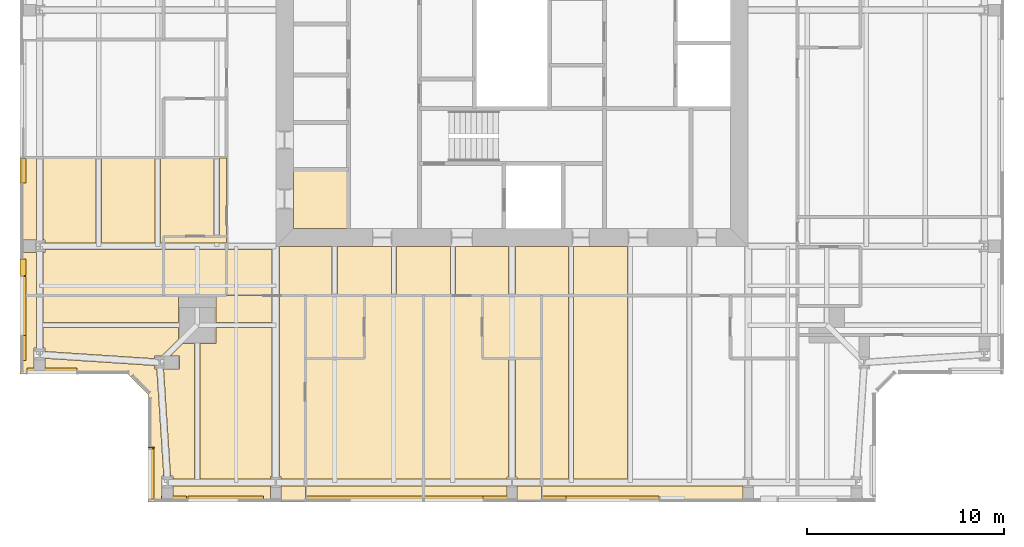
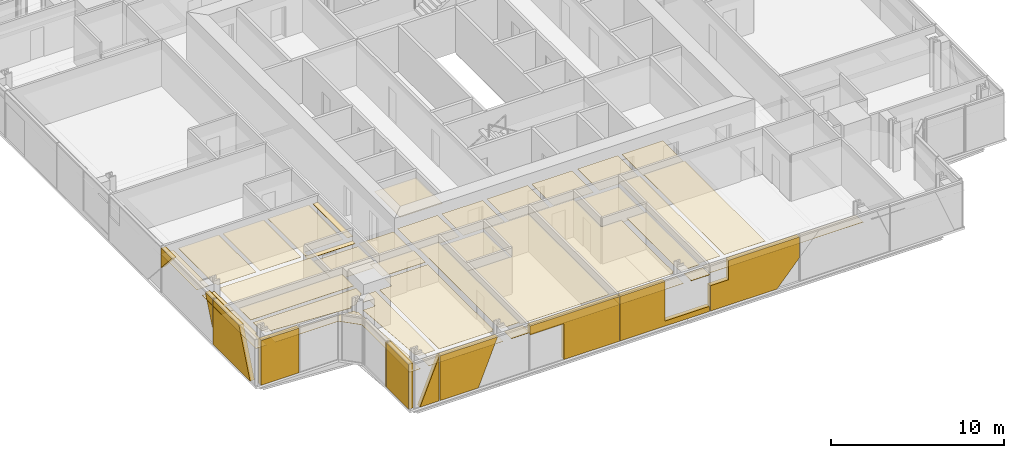
# One storey, part 16 of 20: 49 coverings.
"""IFC4 building model written with IfcOpenShell, lengths in metres."""

from ifc_helpers import new_model, si_unit, direction, frame, origin, place, context, subcontext, project, spatial, polyline, outline, extrude, material, layer, layer_set, type_object, element, save


model = new_model("IFC4")

# Units and contexts
model_context = context("Model", 3, precision=1e-05, world=origin(), true_north=direction((0.0, 1.0)))
body_context = subcontext(model_context, "Body", "Model", "MODEL_VIEW")
ifc_project = project(units=[si_unit("LENGTHUNIT", "METRE"), si_unit("AREAUNIT", "SQUARE_METRE"), si_unit("VOLUMEUNIT", "CUBIC_METRE"), si_unit("PLANEANGLEUNIT", "RADIAN"), si_unit("MASSUNIT", "GRAM", prefix="KILO")], contexts=[model_context])

# Site, building, storey
site_placement = place(None, origin())
site = spatial("IfcSite", under=ifc_project, at=site_placement, CompositionType="ELEMENT")
building_placement = place(site_placement, origin())
building = spatial("IfcBuilding", under=site, at=building_placement, Name="Fenwick Lantern Interchange", CompositionType="ELEMENT")
storey_placement = place(building_placement, frame((0.0, 0.0, 286.60009765625)))
storey = spatial("IfcBuildingStorey", under=building, at=storey_placement, Name="L69", CompositionType="ELEMENT", Elevation=286.60009765625)

# Coverings
ifc_material_1 = material(Name="Granite cladding, warm grey flamed finish, on aluminium carrier frame", Category="masonry")
ifc_layer_1 = layer(ifc_material_1, 0.300048828125)
ifc_layer_set_1 = layer_set([ifc_layer_1], Name="BRACE CASING PANEL 300")
covering_type_1 = type_object("IfcCoveringType", Name="BRACE CASING PANEL 300", PredefinedType="CLADDING", material=ifc_layer_set_1)
covering_1_placement = place(storey_placement, frame((6.60009765625, 0.10009765625, 0.0), z_axis=(0.0, 0.0, 1.0), x_axis=(1.0, 0.0, 0.0)))
element("IfcCovering", 1, at=covering_1_placement, inside=storey, type_object=covering_type_1, Name="Brace casing 01 bay 00a", PredefinedType="CLADDING", context=body_context, shape_type="SweptSolid", body=[
    extrude(outline(polyline([(0.58984375, 0.0), (1.8701171875, 0.0), (1.8701171875, 3.138427734375), (0.58984375, 0.0)])), frame((0.0, 0.2099609375, 0.0), z_axis=(0.0, -1.0, 0.0), x_axis=(1.0, 0.0, 0.0)), (0.0, 0.0, 1.0), 0.300048828125),
])
covering_2_placement = place(storey_placement, frame((6.60009765625, 0.10009765625, 0.0), z_axis=(0.0, 0.0, 1.0), x_axis=(1.0, 0.0, 0.0)))
element("IfcCovering", 2, at=covering_2_placement, inside=storey, type_object=covering_type_1, Name="Brace casing 01 bay 01a", PredefinedType="CLADDING", context=body_context, shape_type="SweptSolid", body=[
    extrude(outline(polyline([(1.929931640625, 0.0), (4.477783203125, 0.0), (5.7626953125, 3.14990234375), (1.929931640625, 3.14990234375), (1.929931640625, 0.0)])), frame((0.0, 0.2099609375, 0.0), z_axis=(0.0, -1.0, 0.0), x_axis=(1.0, 0.0, 0.0)), (0.0, 0.0, 1.0), 0.300048828125),
])
covering_3_placement = place(storey_placement, frame((6.60009765625, 0.10009765625, 0.0), z_axis=(0.0, 0.0, 1.0), x_axis=(1.0, 0.0, 0.0)))
element("IfcCovering", 3, at=covering_3_placement, inside=storey, type_object=covering_type_1, Name="Brace casing 01 bay 02a", PredefinedType="CLADDING", context=body_context, shape_type="SweptSolid", body=[
    extrude(outline(polyline([(10.179931640625, 0.0), (13.8701171875, 0.0), (13.8701171875, 3.14990234375), (7.929931640625, 3.14990234375), (7.929931640625, 2.5234375), (10.179931640625, 2.5234375), (10.179931640625, 0.0)])), frame((0.0, 0.2099609375, 0.0), z_axis=(0.0, -1.0, 0.0), x_axis=(1.0, 0.0, 0.0)), (0.0, 0.0, 1.0), 0.300048828125),
])
covering_4_placement = place(storey_placement, frame((6.60009765625, 0.10009765625, 0.0), z_axis=(0.0, 0.0, 1.0), x_axis=(1.0, 0.0, 0.0)))
element("IfcCovering", 4, at=covering_4_placement, inside=storey, type_object=covering_type_1, Name="Brace casing 01 bay 03a", PredefinedType="CLADDING", context=body_context, shape_type="SweptSolid", body=[
    extrude(outline(polyline([(13.929931640625, 0.0), (19.8701171875, 0.0), (19.8701171875, 0.357421875), (16.926513671875, 0.357421875), (16.926513671875, 3.14990234375), (13.929931640625, 3.14990234375), (13.929931640625, 0.0)])), frame((0.0, 0.2099609375, 0.0), z_axis=(0.0, -1.0, 0.0), x_axis=(1.0, 0.0, 0.0)), (0.0, 0.0, 1.0), 0.300048828125),
])
covering_5_placement = place(storey_placement, frame((6.60009765625, 0.10009765625, 0.0), z_axis=(0.0, 0.0, 1.0), x_axis=(1.0, 0.0, 0.0)))
element("IfcCovering", 5, at=covering_5_placement, inside=storey, type_object=covering_type_1, Name="Brace casing 01 bay 04a", PredefinedType="CLADDING", context=body_context, shape_type="SweptSolid", body=[
    extrude(outline(polyline([(19.929931640625, 0.0), (24.374267578125, 0.0), (25.8701171875, 1.6806640625), (25.8701171875, 3.14990234375), (21.14501953125, 3.14990234375), (21.14501953125, 1.786376953125), (19.929931640625, 1.786376953125), (19.929931640625, 0.0)])), frame((0.0, 0.2099609375, 0.0), z_axis=(0.0, -1.0, 0.0), x_axis=(1.0, 0.0, 0.0)), (0.0, 0.0, 1.0), 0.300048828125),
])
covering_6_placement = place(storey_placement, frame((0.10009765625, 43.39990234375, 1.748046875), z_axis=(0.0, 0.0, 1.0), x_axis=(0.0, -1.0, 0.0)))
element("IfcCovering", 6, at=covering_6_placement, inside=storey, type_object=covering_type_1, Name="Brace casing 13 bay 05a", PredefinedType="CLADDING", context=body_context, shape_type="SweptSolid", body=[
    extrude(outline(polyline([(25.929931640625, 0.0), (27.177490234375, 1.40185546875), (25.929931640625, 1.40185546875), (25.929931640625, 0.0)])), frame((0.0, 0.2099609375, 0.0), z_axis=(0.0, -1.0, 0.0), x_axis=(1.0, 0.0, 0.0)), (0.0, 0.0, 1.0), 0.300048828125),
])
covering_7_placement = place(storey_placement, frame((0.10009765625, 43.39990234375, 1.108642578125), z_axis=(0.0, 0.0, 1.0), x_axis=(0.0, -1.0, 0.0)))
element("IfcCovering", 7, at=covering_7_placement, inside=storey, type_object=covering_type_1, Name="Brace casing 13 bay 05b", PredefinedType="CLADDING", context=body_context, shape_type="SweptSolid", body=[
    extrude(outline(polyline([(31.8701171875, 0.0), (31.8701171875, 2.041259765625), (31.037353515625, 2.041259765625), (31.8701171875, 0.0)])), frame((0.0, 0.2099609375, 0.0), z_axis=(0.0, -1.0, 0.0), x_axis=(1.0, 0.0, 0.0)), (0.0, 0.0, 1.0), 0.300048828125),
])
covering_8_placement = place(storey_placement, frame((0.10009765625, 43.39990234375, 0.0), z_axis=(0.0, 0.0, 1.0), x_axis=(0.0, -1.0, 0.0)))
element("IfcCovering", 8, at=covering_8_placement, inside=storey, type_object=covering_type_1, Name="Brace casing 13 bay 06a", PredefinedType="CLADDING", context=body_context, shape_type="SweptSolid", body=[
    extrude(outline(polyline([(31.929931640625, 0.0), (36.2099609375, 0.0), (34.92529296875, 3.14990234375), (31.929931640625, 3.14990234375), (31.929931640625, 0.0)])), frame((0.0, 0.2099609375, 0.0), z_axis=(0.0, -1.0, 0.0), x_axis=(1.0, 0.0, 0.0)), (0.0, 0.0, 1.0), 0.300048828125),
])
covering_9_placement = place(storey_placement, frame((0.10009765625, 6.60009765625, 0.0), z_axis=(0.0, 0.0, 1.0), x_axis=(1.0, 0.0, 0.0)))
element("IfcCovering", 9, at=covering_9_placement, inside=storey, type_object=covering_type_1, Name="Brace casing 14 bay 00a", PredefinedType="CLADDING", context=body_context, shape_type="SweptSolid", body=[
    extrude(outline(polyline([(0.260009765625, 0.0), (2.790771484375, 0.0), (2.790771484375, 3.14990234375), (0.260009765625, 3.14990234375), (0.260009765625, 0.0)])), frame((0.0, 0.2099609375, 0.0), z_axis=(0.0, -1.0, 0.0), x_axis=(1.0, 0.0, 0.0)), (0.0, 0.0, 1.0), 0.300048828125),
])
covering_10_placement = place(storey_placement, frame((6.60009765625, 5.54150390625, 0.0), z_axis=(0.0, 0.0, 1.0), x_axis=(0.0, -1.0, 0.0)))
element("IfcCovering", 10, at=covering_10_placement, inside=storey, type_object=covering_type_1, Name="Brace casing 16 bay 00a", PredefinedType="CLADDING", context=body_context, shape_type="SweptSolid", body=[
    extrude(outline(polyline([(2.741455078125, 0.0), (2.790771484375, 0.0), (2.790771484375, 3.14990234375), (2.741455078125, 3.14990234375), (2.741455078125, 0.0)])), frame((0.0, 0.2099609375, 0.0), z_axis=(0.0, -1.0, 0.0), x_axis=(1.0, 0.0, 0.0)), (0.0, 0.0, 1.0), 0.300048828125),
])
covering_11_placement = place(storey_placement, frame((6.60009765625, 5.54150390625, 0.0), z_axis=(0.0, 0.0, 1.0), x_axis=(0.0, -1.0, 0.0)))
element("IfcCovering", 11, at=covering_11_placement, inside=storey, type_object=covering_type_1, Name="Brace casing 16 bay 01a", PredefinedType="CLADDING", context=body_context, shape_type="SweptSolid", body=[
    extrude(outline(polyline([(2.850830078125, 0.0), (5.38134765625, 0.0), (5.38134765625, 3.14990234375), (2.850830078125, 3.14990234375), (2.850830078125, 0.0)])), frame((0.0, 0.2099609375, 0.0), z_axis=(0.0, -1.0, 0.0), x_axis=(1.0, 0.0, 0.0)), (0.0, 0.0, 1.0), 0.300048828125),
])
ifc_material_2 = material(Name="Moisture resistant gypsum board on suspended frame, painted")
ifc_layer_2 = layer(ifc_material_2, 0.014892578125)
ifc_layer_set_2 = layer_set([ifc_layer_2], Name="MOISTURE RESISTANT CEILING 15")
covering_type_2 = type_object("IfcCoveringType", Name="MOISTURE RESISTANT CEILING 15", PredefinedType="CEILING", material=ifc_layer_set_2)
covering_12_placement = place(storey_placement, frame((0.0, 0.0, 2.599853515625)))
element("IfcCovering", 12, at=covering_12_placement, inside=storey, type_object=covering_type_2, Name="Accessible WC ceiling", PredefinedType="CEILING", context=body_context, shape_type="SweptSolid", body=[
    extrude(outline(polyline([(13.89990234375, 13.89990234375), (16.699951171875, 13.89990234375), (16.699951171875, 16.89990234375), (13.89990234375, 16.89990234375), (13.89990234375, 13.89990234375)])), origin(), (0.0, 0.0, 1.0), 0.01513671875),
])
covering_13_placement = place(storey_placement, frame((0.0, 0.0, 2.39990234375)))
element("IfcCovering", 13, at=covering_13_placement, inside=storey, type_object=covering_type_2, Name="En-suite 6901 ceiling", PredefinedType="CEILING", context=body_context, shape_type="SweptSolid", body=[
    extrude(outline(polyline([(14.5, 7.300048828125), (17.5, 7.300048828125), (17.5, 10.5), (14.5, 10.5), (14.5, 7.300048828125)])), origin(), (0.0, 0.0, 1.0), 0.014892578125),
])
covering_14_placement = place(storey_placement, frame((0.0, 0.0, 2.39990234375)))
element("IfcCovering", 14, at=covering_14_placement, inside=storey, type_object=covering_type_2, Name="En-suite 6902 ceiling", PredefinedType="CEILING", context=body_context, shape_type="SweptSolid", body=[
    extrude(outline(polyline([(23.5, 7.300048828125), (26.5, 7.300048828125), (26.5, 10.5), (23.5, 10.5), (23.5, 7.300048828125)])), origin(), (0.0, 0.0, 1.0), 0.014892578125),
])
covering_15_placement = place(storey_placement, frame((0.0, 0.0, 2.39990234375)))
element("IfcCovering", 15, at=covering_15_placement, inside=storey, type_object=covering_type_2, Name="En-suite 6914 ceiling", PredefinedType="CEILING", context=body_context, shape_type="SweptSolid", body=[
    extrude(outline(polyline([(10.5, 10.5), (10.5, 12.833984375), (7.300048828125, 12.833984375), (7.300048828125, 10.5), (10.5, 10.5)])), origin(), (0.0, 0.0, 1.0), 0.014892578125),
])
covering_16_placement = place(storey_placement, frame((0.0, 0.0, 2.39990234375)))
element("IfcCovering", 16, at=covering_16_placement, inside=storey, type_object=covering_type_2, Name="En-suite 6914 ceiling", PredefinedType="CEILING", context=body_context, shape_type="SweptSolid", body=[
    extrude(outline(polyline([(7.300048828125, 13.5), (7.300048828125, 13.166015625), (10.5, 13.166015625), (10.5, 13.5), (7.300048828125, 13.5)])), origin(), (0.0, 0.0, 1.0), 0.014892578125),
])
ifc_material_3 = material(Name="Gypsum plasterboard on suspended frame, painted")
ifc_layer_3 = layer(ifc_material_3, 0.014892578125)
ifc_layer_set_3 = layer_set([ifc_layer_3], Name="PLASTERBOARD CEILING 15")
covering_type_3 = type_object("IfcCoveringType", Name="PLASTERBOARD CEILING 15", PredefinedType="CEILING", material=ifc_layer_set_3)
covering_17_placement = place(storey_placement, frame((0.0, 0.0, 2.599853515625)))
element("IfcCovering", 17, at=covering_17_placement, inside=storey, type_object=covering_type_3, Name="Corridor ceiling", PredefinedType="CEILING", context=body_context, shape_type="SweptSolid", body=[
    extrude(outline(polyline([(16.134521484375, 10.5), (18.865478515625, 10.5), (18.865478515625, 13.0), (16.134521484375, 13.0), (16.134521484375, 10.5)])), origin(), (0.0, 0.0, 1.0), 0.01513671875),
])
covering_18_placement = place(storey_placement, frame((0.0, 0.0, 2.599853515625)))
element("IfcCovering", 18, at=covering_18_placement, inside=storey, type_object=covering_type_3, Name="Corridor ceiling", PredefinedType="CEILING", context=body_context, shape_type="SweptSolid", body=[
    extrude(outline(polyline([(19.134521484375, 10.5), (21.865478515625, 10.5), (21.865478515625, 13.0), (19.134521484375, 13.0), (19.134521484375, 10.5)])), origin(), (0.0, 0.0, 1.0), 0.01513671875),
])
covering_19_placement = place(storey_placement, frame((0.0, 0.0, 2.599853515625)))
element("IfcCovering", 19, at=covering_19_placement, inside=storey, type_object=covering_type_3, Name="Corridor ceiling", PredefinedType="CEILING", context=body_context, shape_type="SweptSolid", body=[
    extrude(outline(polyline([(28.134521484375, 10.5), (30.865478515625, 10.5), (30.865478515625, 13.0), (28.134521484375, 13.0), (28.134521484375, 10.5)])), origin(), (0.0, 0.0, 1.0), 0.01513671875),
])
covering_20_placement = place(storey_placement, frame((0.0, 0.0, 2.599853515625)))
element("IfcCovering", 20, at=covering_20_placement, inside=storey, type_object=covering_type_3, Name="Corridor ceiling", PredefinedType="CEILING", context=body_context, shape_type="SweptSolid", body=[
    extrude(outline(polyline([(13.183837890625, 10.5), (15.865478515625, 10.5), (15.865478515625, 13.0), (13.183837890625, 13.0), (13.183837890625, 10.5)])), origin(), (0.0, 0.0, 1.0), 0.01513671875),
])
covering_21_placement = place(storey_placement, frame((0.0, 0.0, 2.599853515625)))
element("IfcCovering", 21, at=covering_21_placement, inside=storey, type_object=covering_type_3, Name="Corridor ceiling", PredefinedType="CEILING", context=body_context, shape_type="SweptSolid", body=[
    extrude(outline(polyline([(22.134521484375, 10.5), (24.816162109375, 10.5), (24.816162109375, 13.0), (22.134521484375, 13.0), (22.134521484375, 10.5)])), origin(), (0.0, 0.0, 1.0), 0.01513671875),
])
covering_22_placement = place(storey_placement, frame((0.0, 0.0, 2.599853515625)))
element("IfcCovering", 22, at=covering_22_placement, inside=storey, type_object=covering_type_3, Name="Corridor ceiling", PredefinedType="CEILING", context=body_context, shape_type="SweptSolid", body=[
    extrude(outline(polyline([(25.183837890625, 10.5), (27.865478515625, 10.5), (27.865478515625, 13.0), (25.183837890625, 13.0), (25.183837890625, 10.5)])), origin(), (0.0, 0.0, 1.0), 0.01513671875),
])
covering_23_placement = place(storey_placement, frame((0.0, 0.0, 2.599853515625)))
element("IfcCovering", 23, at=covering_23_placement, inside=storey, type_object=covering_type_3, Name="Corridor ceiling", PredefinedType="CEILING", context=body_context, shape_type="SweptSolid", body=[
    extrude(outline(polyline([(10.5, 10.5), (12.816162109375, 10.5), (12.816162109375, 12.833984375), (10.5, 12.833984375), (10.5, 10.5)])), origin(), (0.0, 0.0, 1.0), 0.01513671875),
])
covering_24_placement = place(storey_placement, frame((0.0, 0.0, 2.699951171875)))
element("IfcCovering", 24, at=covering_24_placement, inside=storey, type_object=covering_type_3, Name="Guest suite 6901 sitting room ceiling", PredefinedType="CEILING", context=body_context, shape_type="SweptSolid", body=[
    extrude(outline(polyline([(9.949951171875, 8.050048828125), (9.134521484375, 8.050048828125), (9.134521484375, 1.17236328125), (12.72900390625, 1.17236328125), (12.72900390625, 1.3154296875), (12.816162109375, 1.3154296875), (12.816162109375, 8.865478515625), (9.949951171875, 8.865478515625), (9.949951171875, 8.050048828125)])), origin(), (0.0, 0.0, 1.0), 0.014892578125),
])
covering_25_placement = place(storey_placement, frame((0.0, 0.0, 2.699951171875)))
element("IfcCovering", 25, at=covering_25_placement, inside=storey, type_object=covering_type_3, Name="Guest suite 6901 sitting room ceiling", PredefinedType="CEILING", context=body_context, shape_type="SweptSolid", body=[
    extrude(outline(polyline([(14.5, 10.5), (13.183837890625, 10.5), (13.183837890625, 1.3154296875), (13.27099609375, 1.3154296875), (13.27099609375, 1.17236328125), (14.5, 1.17236328125), (14.5, 10.5)])), origin(), (0.0, 0.0, 1.0), 0.014892578125),
])
covering_26_placement = place(storey_placement, frame((0.0, 0.0, 2.699951171875)))
element("IfcCovering", 26, at=covering_26_placement, inside=storey, type_object=covering_type_3, Name="Guest suite 6901 sitting room ceiling", PredefinedType="CEILING", context=body_context, shape_type="SweptSolid", body=[
    extrude(outline(polyline([(8.050048828125, 9.134521484375), (8.050048828125, 10.5), (1.17236328125, 10.5), (1.17236328125, 9.134521484375), (8.050048828125, 9.134521484375)])), origin(), (0.0, 0.0, 1.0), 0.014892578125),
])
covering_27_placement = place(storey_placement, frame((0.0, 0.0, 2.699951171875)))
element("IfcCovering", 27, at=covering_27_placement, inside=storey, type_object=covering_type_3, Name="Guest suite 6901 sitting room ceiling", PredefinedType="CEILING", context=body_context, shape_type="SweptSolid", body=[
    extrude(outline(polyline([(8.050048828125, 8.266845703125), (8.050048828125, 8.865478515625), (1.17236328125, 8.865478515625), (1.17236328125, 7.83447265625), (1.27734375, 7.83447265625), (1.27734375, 7.654541015625), (6.82275390625, 7.291015625), (6.82275390625, 7.4345703125), (7.217529296875, 7.4345703125), (8.050048828125, 8.266845703125)])), origin(), (0.0, 0.0, 1.0), 0.014892578125),
])
covering_28_placement = place(storey_placement, frame((0.0, 0.0, 2.699951171875)))
element("IfcCovering", 28, at=covering_28_placement, inside=storey, type_object=covering_type_3, Name="Guest suite 6901 sitting room ceiling", PredefinedType="CEILING", context=body_context, shape_type="SweptSolid", body=[
    extrude(outline(polyline([(8.865478515625, 8.050048828125), (8.266845703125, 8.050048828125), (7.6513671875, 7.4345703125), (8.10009765625, 7.4345703125), (8.10009765625, 6.765625), (7.294677734375, 6.765625), (7.65087890625, 1.33447265625), (7.77734375, 1.33447265625), (7.77734375, 1.17236328125), (8.865478515625, 1.17236328125), (8.865478515625, 8.050048828125)])), origin(), (0.0, 0.0, 1.0), 0.014892578125),
])
covering_29_placement = place(storey_placement, frame((0.0, 0.0, 2.699951171875)))
element("IfcCovering", 29, at=covering_29_placement, inside=storey, type_object=covering_type_3, Name="Guest suite 6901 sitting room ceiling", PredefinedType="CEILING", context=body_context, shape_type="SweptSolid", body=[
    extrude(outline(polyline([(7.22265625, 1.33447265625), (7.30517578125, 1.33447265625), (6.94921875, 6.765625), (6.82275390625, 6.765625), (6.82275390625, 6.9453125), (1.27734375, 7.30908203125), (1.27734375, 6.5), (5.5, 6.5), (6.5, 5.5), (6.5, 0.0), (7.22265625, 0.0), (7.22265625, 1.33447265625)])), origin(), (0.0, 0.0, 1.0), 0.014892578125),
])
covering_30_placement = place(storey_placement, frame((0.0, 0.0, 2.699951171875)))
element("IfcCovering", 30, at=covering_30_placement, inside=storey, type_object=covering_type_3, Name="Guest suite 6901 sitting room ceiling", PredefinedType="CEILING", context=body_context, shape_type="SweptSolid", body=[
    extrude(outline(polyline([(12.72900390625, 0.0), (12.72900390625, 0.82763671875), (7.77734375, 0.82763671875), (7.77734375, 0.0), (12.72900390625, 0.0)])), origin(), (0.0, 0.0, 1.0), 0.014892578125),
])
covering_31_placement = place(storey_placement, frame((0.0, 0.0, 2.699951171875)))
element("IfcCovering", 31, at=covering_31_placement, inside=storey, type_object=covering_type_3, Name="Guest suite 6901 sitting room ceiling", PredefinedType="CEILING", context=body_context, shape_type="SweptSolid", body=[
    extrude(outline(polyline([(9.949951171875, 10.5), (9.949951171875, 9.134521484375), (12.816162109375, 9.134521484375), (12.816162109375, 10.5), (9.949951171875, 10.5)])), origin(), (0.0, 0.0, 1.0), 0.014892578125),
])
covering_32_placement = place(storey_placement, frame((0.0, 0.0, 2.699951171875)))
element("IfcCovering", 32, at=covering_32_placement, inside=storey, type_object=covering_type_3, Name="Guest suite 6901 sitting room ceiling", PredefinedType="CEILING", context=body_context, shape_type="SweptSolid", body=[
    extrude(outline(polyline([(0.72265625, 7.83447265625), (0.82763671875, 7.83447265625), (0.82763671875, 10.5), (0.0, 10.5), (0.0, 6.5), (0.72265625, 6.5), (0.72265625, 7.83447265625)])), origin(), (0.0, 0.0, 1.0), 0.014892578125),
])
covering_33_placement = place(storey_placement, frame((0.0, 0.0, 2.699951171875)))
element("IfcCovering", 33, at=covering_33_placement, inside=storey, type_object=covering_type_3, Name="Guest suite 6901 sitting room ceiling", PredefinedType="CEILING", context=body_context, shape_type="SweptSolid", body=[
    extrude(outline(polyline([(14.5, 0.0), (14.5, 0.82763671875), (13.27099609375, 0.82763671875), (13.27099609375, 0.0), (14.5, 0.0)])), origin(), (0.0, 0.0, 1.0), 0.014892578125),
])
covering_34_placement = place(storey_placement, frame((0.0, 0.0, 2.57275390625)))
element("IfcCovering", 34, at=covering_34_placement, inside=storey, type_object=covering_type_3, Name="Guest suite 6901 bedroom ceiling", PredefinedType="CEILING", context=body_context, shape_type="SweptSolid", body=[
    extrude(outline(polyline([(20.5, 1.17236328125), (20.5, 10.5), (17.5, 10.5), (17.5, 7.300048828125), (14.5, 7.300048828125), (14.5, 1.17236328125), (20.5, 1.17236328125)])), origin(), (0.0, 0.0, 1.0), 0.014892578125),
])
covering_35_placement = place(storey_placement, frame((0.0, 0.0, 2.57275390625)))
element("IfcCovering", 35, at=covering_35_placement, inside=storey, type_object=covering_type_3, Name="Guest suite 6901 bedroom ceiling", PredefinedType="CEILING", context=body_context, shape_type="SweptSolid", body=[
    extrude(outline(polyline([(20.5, 0.0), (20.5, 0.82763671875), (14.5, 0.82763671875), (14.5, 0.0), (20.5, 0.0)])), origin(), (0.0, 0.0, 1.0), 0.014892578125),
])
covering_36_placement = place(storey_placement, frame((0.0, 0.0, 2.57275390625)))
element("IfcCovering", 36, at=covering_36_placement, inside=storey, type_object=covering_type_3, Name="Guest room 6902 ceiling", PredefinedType="CEILING", context=body_context, shape_type="SweptSolid", body=[
    extrude(outline(polyline([(24.73779296875, 1.28759765625), (24.816162109375, 1.28759765625), (24.816162109375, 7.300048828125), (23.5, 7.300048828125), (23.5, 10.5), (20.5, 10.5), (20.5, 1.17236328125), (24.73779296875, 1.17236328125), (24.73779296875, 1.28759765625)])), origin(), (0.0, 0.0, 1.0), 0.014892578125),
])
covering_37_placement = place(storey_placement, frame((0.0, 0.0, 2.57275390625)))
element("IfcCovering", 37, at=covering_37_placement, inside=storey, type_object=covering_type_3, Name="Guest room 6902 ceiling", PredefinedType="CEILING", context=body_context, shape_type="SweptSolid", body=[
    extrude(outline(polyline([(25.26220703125, 1.28759765625), (25.26220703125, 1.17236328125), (26.5, 1.17236328125), (26.5, 7.300048828125), (25.183837890625, 7.300048828125), (25.183837890625, 1.28759765625), (25.26220703125, 1.28759765625)])), origin(), (0.0, 0.0, 1.0), 0.014892578125),
])
covering_38_placement = place(storey_placement, frame((0.0, 0.0, 2.57275390625)))
element("IfcCovering", 38, at=covering_38_placement, inside=storey, type_object=covering_type_3, Name="Guest room 6902 ceiling", PredefinedType="CEILING", context=body_context, shape_type="SweptSolid", body=[
    extrude(outline(polyline([(24.73779296875, 0.0), (24.73779296875, 0.82763671875), (20.5, 0.82763671875), (20.5, 0.0), (24.73779296875, 0.0)])), origin(), (0.0, 0.0, 1.0), 0.014892578125),
])
covering_39_placement = place(storey_placement, frame((0.0, 0.0, 2.57275390625)))
element("IfcCovering", 39, at=covering_39_placement, inside=storey, type_object=covering_type_3, Name="Guest room 6902 ceiling", PredefinedType="CEILING", context=body_context, shape_type="SweptSolid", body=[
    extrude(outline(polyline([(25.26220703125, 0.82763671875), (25.26220703125, 0.0), (26.5, 0.0), (26.5, 0.82763671875), (25.26220703125, 0.82763671875)])), origin(), (0.0, 0.0, 1.0), 0.014892578125),
])
covering_40_placement = place(storey_placement, frame((0.0, 0.0, 2.699951171875)))
element("IfcCovering", 40, at=covering_40_placement, inside=storey, type_object=covering_type_3, Name="Guest suite 6903 ceiling", PredefinedType="CEILING", context=body_context, shape_type="SweptSolid", body=[
    extrude(outline(polyline([(30.865478515625, 10.5), (28.134521484375, 10.5), (28.134521484375, 1.17236328125), (30.865478515625, 1.17236328125), (30.865478515625, 10.5)])), origin(), (0.0, 0.0, 1.0), 0.014892578125),
])
covering_41_placement = place(storey_placement, frame((0.0, 0.0, 2.699951171875)))
element("IfcCovering", 41, at=covering_41_placement, inside=storey, type_object=covering_type_3, Name="Guest suite 6903 ceiling", PredefinedType="CEILING", context=body_context, shape_type="SweptSolid", body=[
    extrude(outline(polyline([(26.5, 10.5), (26.5, 1.17236328125), (27.865478515625, 1.17236328125), (27.865478515625, 10.5), (26.5, 10.5)])), origin(), (0.0, 0.0, 1.0), 0.014892578125),
])
covering_42_placement = place(storey_placement, frame((0.0, 0.0, 2.699951171875)))
element("IfcCovering", 42, at=covering_42_placement, inside=storey, type_object=covering_type_3, Name="Guest suite 6903 ceiling", PredefinedType="CEILING", context=body_context, shape_type="SweptSolid", body=[
    extrude(outline(polyline([(36.72900390625, 0.0), (36.72900390625, 0.82763671875), (26.5, 0.82763671875), (26.5, 0.0), (36.72900390625, 0.0)])), origin(), (0.0, 0.0, 1.0), 0.014892578125),
])
covering_43_placement = place(storey_placement, frame((0.0, 0.0, 2.699951171875)))
element("IfcCovering", 43, at=covering_43_placement, inside=storey, type_object=covering_type_3, Name="Guest room 6914 ceiling", PredefinedType="CEILING", context=body_context, shape_type="SweptSolid", body=[
    extrude(outline(polyline([(1.27099609375, 12.6845703125), (1.17236328125, 12.6845703125), (1.17236328125, 10.5), (7.300048828125, 10.5), (7.300048828125, 12.833984375), (1.27099609375, 12.833984375), (1.27099609375, 12.6845703125)])), origin(), (0.0, 0.0, 1.0), 0.014892578125),
])
covering_44_placement = place(storey_placement, frame((0.0, 0.0, 2.699951171875)))
element("IfcCovering", 44, at=covering_44_placement, inside=storey, type_object=covering_type_3, Name="Guest room 6914 ceiling", PredefinedType="CEILING", context=body_context, shape_type="SweptSolid", body=[
    extrude(outline(polyline([(6.865478515625, 17.5), (4.134521484375, 17.5), (4.134521484375, 13.166015625), (6.865478515625, 13.166015625), (6.865478515625, 17.5)])), origin(), (0.0, 0.0, 1.0), 0.014892578125),
])
covering_45_placement = place(storey_placement, frame((0.0, 0.0, 2.699951171875)))
element("IfcCovering", 45, at=covering_45_placement, inside=storey, type_object=covering_type_3, Name="Guest room 6914 ceiling", PredefinedType="CEILING", context=body_context, shape_type="SweptSolid", body=[
    extrude(outline(polyline([(1.27099609375, 13.3154296875), (1.27099609375, 13.166015625), (3.865478515625, 13.166015625), (3.865478515625, 17.5), (1.17236328125, 17.5), (1.17236328125, 13.3154296875), (1.27099609375, 13.3154296875)])), origin(), (0.0, 0.0, 1.0), 0.014892578125),
])
covering_46_placement = place(storey_placement, frame((0.0, 0.0, 2.699951171875)))
element("IfcCovering", 46, at=covering_46_placement, inside=storey, type_object=covering_type_3, Name="Guest room 6914 ceiling", PredefinedType="CEILING", context=body_context, shape_type="SweptSolid", body=[
    extrude(outline(polyline([(9.865478515625, 17.5), (7.134521484375, 17.5), (7.134521484375, 13.166015625), (7.300048828125, 13.166015625), (7.300048828125, 13.5), (9.865478515625, 13.5), (9.865478515625, 17.5)])), origin(), (0.0, 0.0, 1.0), 0.014892578125),
])
covering_47_placement = place(storey_placement, frame((0.0, 0.0, 2.699951171875)))
element("IfcCovering", 47, at=covering_47_placement, inside=storey, type_object=covering_type_3, Name="Guest room 6914 ceiling", PredefinedType="CEILING", context=body_context, shape_type="SweptSolid", body=[
    extrude(outline(polyline([(0.0, 13.3154296875), (0.82763671875, 13.3154296875), (0.82763671875, 17.5), (0.0, 17.5), (0.0, 13.3154296875)])), origin(), (0.0, 0.0, 1.0), 0.014892578125),
])
covering_48_placement = place(storey_placement, frame((0.0, 0.0, 2.699951171875)))
element("IfcCovering", 48, at=covering_48_placement, inside=storey, type_object=covering_type_3, Name="Guest room 6914 ceiling", PredefinedType="CEILING", context=body_context, shape_type="SweptSolid", body=[
    extrude(outline(polyline([(0.82763671875, 12.6845703125), (0.0, 12.6845703125), (0.0, 10.5), (0.82763671875, 10.5), (0.82763671875, 12.6845703125)])), origin(), (0.0, 0.0, 1.0), 0.014892578125),
])
covering_49_placement = place(storey_placement, frame((0.0, 0.0, 2.699951171875)))
element("IfcCovering", 49, at=covering_49_placement, inside=storey, type_object=covering_type_3, Name="Guest room 6914 ceiling", PredefinedType="CEILING", context=body_context, shape_type="SweptSolid", body=[
    extrude(outline(polyline([(10.5, 17.5), (10.134521484375, 17.5), (10.134521484375, 13.5), (10.5, 13.5), (10.5, 17.5)])), origin(), (0.0, 0.0, 1.0), 0.014892578125),
])

save(model, "model.ifc")
